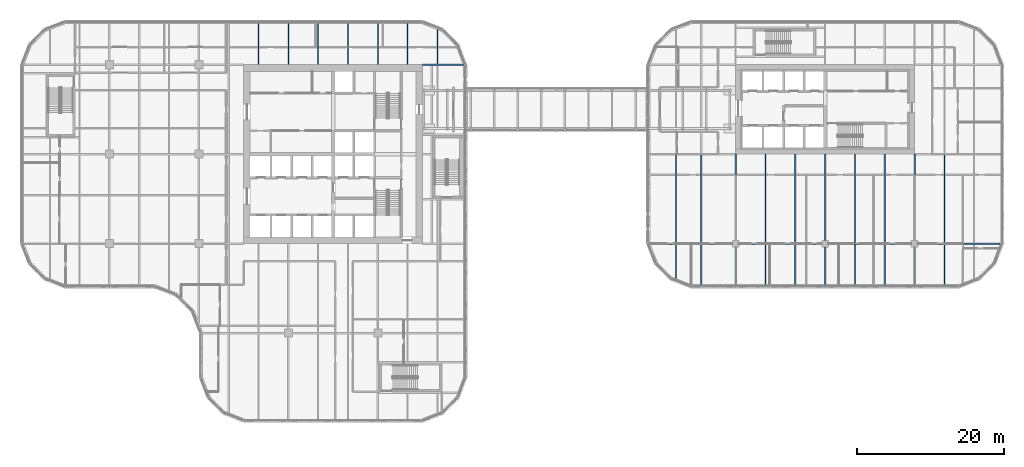
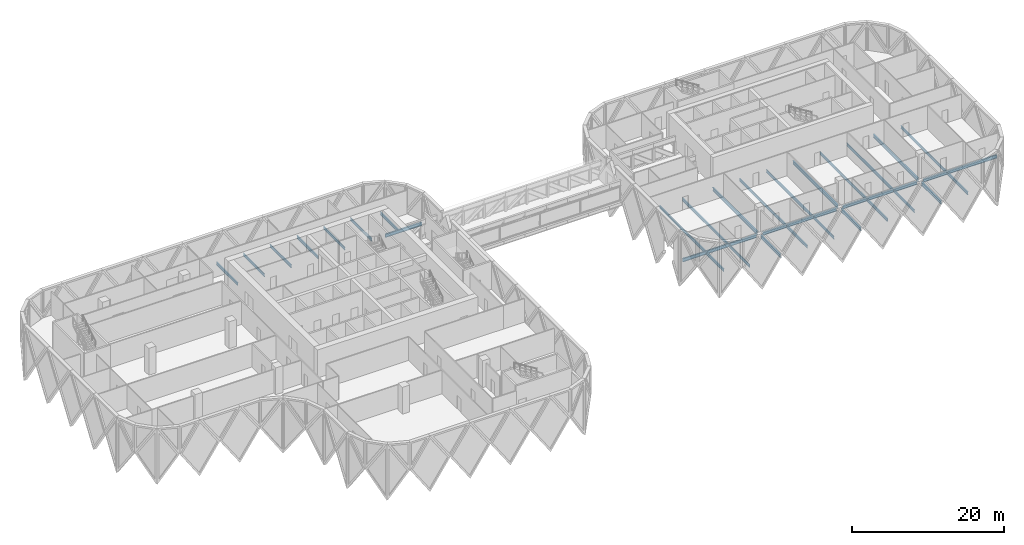
# One storey, part 4 of 30: 32 beams.
"""IFC4 building model written with IfcOpenShell, lengths in metres."""

from ifc_helpers import new_model, si_unit, direction, frame, origin, origin_2d, place, context, subcontext, project, spatial, i_section, extrude, material, material_profile, profile_set, type_object, element, save


model = new_model("IFC4")

# Units and contexts
model_context = context("Model", 3, precision=1e-05, world=origin(), true_north=direction((0.0, 1.0)))
body_context = subcontext(model_context, "Body", "Model", "MODEL_VIEW")
ifc_project = project(units=[si_unit("LENGTHUNIT", "METRE"), si_unit("AREAUNIT", "SQUARE_METRE"), si_unit("VOLUMEUNIT", "CUBIC_METRE"), si_unit("PLANEANGLEUNIT", "RADIAN"), si_unit("MASSUNIT", "GRAM", prefix="KILO")], contexts=[model_context])

# Site, building, storey
site_placement = place(None, origin())
site = spatial("IfcSite", under=ifc_project, at=site_placement, CompositionType="ELEMENT")
building_placement = place(site_placement, origin())
building = spatial("IfcBuilding", under=site, at=building_placement, Name="Tessera Gate Towers", CompositionType="ELEMENT")
storey_placement = place(building_placement, frame((0.0, 0.0, 21.300048828125)))
storey = spatial("IfcBuildingStorey", under=building, at=storey_placement, Name="L04", CompositionType="ELEMENT", Elevation=21.300048828125)

# Beams
ifc_material_1 = material(Name="Steel 350W", Category="steel")
ifc_material_profile_1 = material_profile(ifc_material_1, i_section(OverallWidth=0.208984375, OverallDepth=0.532958984375, WebThickness=0.01025390625, FlangeThickness=0.015625, at=origin_2d()), Name="W530x92")
ifc_profile_set_1 = profile_set([ifc_material_profile_1], Name="Steel 350W")
beam_type_1 = type_object("IfcBeamType", Name="FLOOR GIRDER W530x92", PredefinedType="BEAM", material=ifc_profile_set_1)
beam_1_placement = place(storey_placement, frame((54.90087890625, 48.800048828125, -0.466552734375), z_axis=(1.0, 0.0, 0.0), x_axis=(0.0, 1.0, 0.0)))
element("IfcBeam", 1, at=beam_1_placement, inside=storey, type_object=beam_type_1, Name="T1-GD-L04-805", PredefinedType="BEAM", context=body_context, shape_type="SweptSolid", body=[
    extrude(i_section(OverallWidth=0.208984375, OverallDepth=0.532958984375, WebThickness=0.01025390625, FlangeThickness=0.015625, at=origin_2d()), origin(), (0.0, 0.0, 1.0), 5.564208984375),
])
beam_2_placement = place(storey_placement, frame((85.934814453125, 24.39990234375, -0.466552734375), z_axis=(1.0, 0.0, 0.0), x_axis=(0.0, 1.0, 0.0)))
element("IfcBeam", 2, at=beam_2_placement, inside=storey, type_object=beam_type_1, Name="T2-GD-L04-870", PredefinedType="BEAM", context=body_context, shape_type="SweptSolid", body=[
    extrude(i_section(OverallWidth=0.208984375, OverallDepth=0.532958984375, WebThickness=0.01025390625, FlangeThickness=0.015625, at=origin_2d()), origin(), (0.0, 0.0, 1.0), 11.215087890625),
])
for number, where, z_axis, x_axis, name in (
    (3, (98.050048828125, 24.39990234375, -0.466552734375), (1.0, 0.0, 0.0), (0.0, 1.0, 0.0), "T2-GD-L04-871"),
    (4, (110.25, 24.39990234375, -0.466552734375), (1.0, 0.0, 0.0), (0.0, 1.0, 0.0), "T2-GD-L04-872"),
):
    element("IfcBeam", number, at=place(storey_placement, frame(where, z_axis=z_axis, x_axis=x_axis)), inside=storey, type_object=beam_type_1, Name=name, PredefinedType="BEAM", context=body_context, shape_type="SweptSolid", body=[
        extrude(i_section(OverallWidth=0.208984375, OverallDepth=0.532958984375, WebThickness=0.01025390625, FlangeThickness=0.015625, at=origin_2d()), origin(), (0.0, 0.0, 1.0), 11.300048828125),
    ])
beam_3_placement = place(storey_placement, frame((122.449951171875, 24.39990234375, -0.466552734375), z_axis=(1.0, 0.0, 0.0), x_axis=(0.0, 1.0, 0.0)))
element("IfcBeam", 5, at=beam_3_placement, inside=storey, type_object=beam_type_1, Name="T2-GD-L04-873", PredefinedType="BEAM", context=body_context, shape_type="SweptSolid", body=[
    extrude(i_section(OverallWidth=0.208984375, OverallDepth=0.532958984375, WebThickness=0.01025390625, FlangeThickness=0.015625, at=origin_2d()), origin(), (0.0, 0.0, 1.0), 11.21533203125),
])
beam_4_placement = place(storey_placement, frame((97.60009765625, 18.799072265625, -0.466552734375), z_axis=(0.0, 1.0, 0.0), x_axis=(-1.0, 0.0, 0.0)))
element("IfcBeam", 6, at=beam_4_placement, inside=storey, type_object=beam_type_1, Name="T2-GD-L04-878", PredefinedType="BEAM", context=body_context, shape_type="SweptSolid", body=[
    extrude(i_section(OverallWidth=0.208984375, OverallDepth=0.532958984375, WebThickness=0.01025390625, FlangeThickness=0.015625, at=origin_2d()), origin(), (0.0, 0.0, 1.0), 5.15087890625),
])
beam_5_placement = place(storey_placement, frame((97.60009765625, 24.85009765625, -0.466552734375), z_axis=(0.0, 1.0, 0.0), x_axis=(-1.0, 0.0, 0.0)))
element("IfcBeam", 7, at=beam_5_placement, inside=storey, type_object=beam_type_1, Name="T2-GD-L04-879", PredefinedType="BEAM", context=body_context, shape_type="SweptSolid", body=[
    extrude(i_section(OverallWidth=0.208984375, OverallDepth=0.532958984375, WebThickness=0.01025390625, FlangeThickness=0.015625, at=origin_2d()), origin(), (0.0, 0.0, 1.0), 11.75),
])
beam_6_placement = place(storey_placement, frame((109.800048828125, 18.799072265625, -0.466552734375), z_axis=(0.0, 1.0, 0.0), x_axis=(-1.0, 0.0, 0.0)))
element("IfcBeam", 8, at=beam_6_placement, inside=storey, type_object=beam_type_1, Name="T2-GD-L04-880", PredefinedType="BEAM", context=body_context, shape_type="SweptSolid", body=[
    extrude(i_section(OverallWidth=0.208984375, OverallDepth=0.532958984375, WebThickness=0.01025390625, FlangeThickness=0.015625, at=origin_2d()), origin(), (0.0, 0.0, 1.0), 5.15087890625),
])
beam_7_placement = place(storey_placement, frame((109.800048828125, 24.85009765625, -0.466552734375), z_axis=(0.0, 1.0, 0.0), x_axis=(-1.0, 0.0, 0.0)))
element("IfcBeam", 9, at=beam_7_placement, inside=storey, type_object=beam_type_1, Name="T2-GD-L04-881", PredefinedType="BEAM", context=body_context, shape_type="SweptSolid", body=[
    extrude(i_section(OverallWidth=0.208984375, OverallDepth=0.532958984375, WebThickness=0.01025390625, FlangeThickness=0.015625, at=origin_2d()), origin(), (0.0, 0.0, 1.0), 11.75),
])
beam_8_placement = place(storey_placement, frame((122.0, 18.799072265625, -0.466552734375), z_axis=(0.0, 1.0, 0.0), x_axis=(-1.0, 0.0, 0.0)))
element("IfcBeam", 10, at=beam_8_placement, inside=storey, type_object=beam_type_1, Name="T2-GD-L04-882", PredefinedType="BEAM", context=body_context, shape_type="SweptSolid", body=[
    extrude(i_section(OverallWidth=0.208984375, OverallDepth=0.532958984375, WebThickness=0.01025390625, FlangeThickness=0.015625, at=origin_2d()), origin(), (0.0, 0.0, 1.0), 5.15087890625),
])
beam_9_placement = place(storey_placement, frame((122.0, 24.85009765625, -0.466552734375), z_axis=(0.0, 1.0, 0.0), x_axis=(-1.0, 0.0, 0.0)))
element("IfcBeam", 11, at=beam_9_placement, inside=storey, type_object=beam_type_1, Name="T2-GD-L04-883", PredefinedType="BEAM", context=body_context, shape_type="SweptSolid", body=[
    extrude(i_section(OverallWidth=0.208984375, OverallDepth=0.532958984375, WebThickness=0.01025390625, FlangeThickness=0.015625, at=origin_2d()), origin(), (0.0, 0.0, 1.0), 11.75),
])
ifc_material_2 = material(Name="Steel 350W", Category="steel")
ifc_material_profile_2 = material_profile(ifc_material_2, i_section(OverallWidth=0.153076171875, OverallDepth=0.455078125, WebThickness=0.008056640625, FlangeThickness=0.01318359375, at=origin_2d()), Name="W460x60")
ifc_profile_set_2 = profile_set([ifc_material_profile_2], Name="Steel 350W")
beam_type_2 = type_object("IfcBeamType", Name="FLOOR SECONDARY W460x60", PredefinedType="BEAM", material=ifc_profile_set_2)
for number, where, z_axis, x_axis, name in (
    (12, (32.533203125, 48.800048828125, -0.427490234375), (0.0, 1.0, 0.0), (-1.0, 0.0, 0.0), "T1-BM-L04-850"),
    (13, (36.60009765625, 48.800048828125, -0.427490234375), (0.0, 1.0, 0.0), (-1.0, 0.0, 0.0), "T1-BM-L04-851"),
    (14, (40.666748046875, 48.800048828125, -0.427490234375), (0.0, 1.0, 0.0), (-1.0, 0.0, 0.0), "T1-BM-L04-854"),
    (15, (44.7333984375, 48.800048828125, -0.427490234375), (0.0, 1.0, 0.0), (-1.0, 0.0, 0.0), "T1-BM-L04-857"),
    (16, (48.800048828125, 48.800048828125, -0.427490234375), (0.0, 1.0, 0.0), (-1.0, 0.0, 0.0), "T1-BM-L04-858"),
    (17, (52.86669921875, 48.800048828125, -0.427490234375), (0.0, 1.0, 0.0), (-1.0, 0.0, 0.0), "T1-BM-L04-862"),
):
    element("IfcBeam", number, at=place(storey_placement, frame(where, z_axis=z_axis, x_axis=x_axis)), inside=storey, type_object=beam_type_2, Name=name, PredefinedType="BEAM", context=body_context, shape_type="SweptSolid", body=[
        extrude(i_section(OverallWidth=0.153076171875, OverallDepth=0.455078125, WebThickness=0.008056640625, FlangeThickness=0.01318359375, at=origin_2d()), origin(), (0.0, 0.0, 1.0), 5.599853515625),
    ])
for number, where, z_axis, x_axis, name in (
    (18, (56.933349609375, 48.904541015625, -0.427490234375), (0.0, 1.0, 0.0), (-1.0, 0.0, 0.0), "T1-BM-L04-868"),
    (19, (89.466796875, 19.620361328125, -0.427490234375), (0.0, 1.0, 0.0), (-1.0, 0.0, 0.0), "T2-BM-L04-886"),
):
    element("IfcBeam", number, at=place(storey_placement, frame(where, z_axis=z_axis, x_axis=x_axis)), inside=storey, type_object=beam_type_2, Name=name, PredefinedType="BEAM", context=body_context, shape_type="SweptSolid", body=[
        extrude(i_section(OverallWidth=0.153076171875, OverallDepth=0.455078125, WebThickness=0.008056640625, FlangeThickness=0.01318359375, at=origin_2d()), origin(), (0.0, 0.0, 1.0), 4.675048828125),
    ])
beam_10_placement = place(storey_placement, frame((89.466796875, 24.50439453125, -0.427490234375), z_axis=(0.0, 1.0, 0.0), x_axis=(-1.0, 0.0, 0.0)))
element("IfcBeam", 20, at=beam_10_placement, inside=storey, type_object=beam_type_2, Name="T2-BM-L04-887", PredefinedType="BEAM", context=body_context, shape_type="SweptSolid", body=[
    extrude(i_section(OverallWidth=0.153076171875, OverallDepth=0.455078125, WebThickness=0.008056640625, FlangeThickness=0.01318359375, at=origin_2d()), origin(), (0.0, 0.0, 1.0), 11.9912109375),
])
beam_11_placement = place(storey_placement, frame((92.916748046875, 18.800048828125, -0.427490234375), z_axis=(0.0, 1.0, 0.0), x_axis=(-1.0, 0.0, 0.0)))
element("IfcBeam", 21, at=beam_11_placement, inside=storey, type_object=beam_type_2, Name="T2-BM-L04-891", PredefinedType="BEAM", context=body_context, shape_type="SweptSolid", body=[
    extrude(i_section(OverallWidth=0.153076171875, OverallDepth=0.455078125, WebThickness=0.008056640625, FlangeThickness=0.01318359375, at=origin_2d()), origin(), (0.0, 0.0, 1.0), 5.495361328125),
])
beam_12_placement = place(storey_placement, frame((92.916748046875, 24.50439453125, -0.427490234375), z_axis=(0.0, 1.0, 0.0), x_axis=(-1.0, 0.0, 0.0)))
element("IfcBeam", 22, at=beam_12_placement, inside=storey, type_object=beam_type_2, Name="T2-BM-L04-892", PredefinedType="BEAM", context=body_context, shape_type="SweptSolid", body=[
    extrude(i_section(OverallWidth=0.153076171875, OverallDepth=0.455078125, WebThickness=0.008056640625, FlangeThickness=0.01318359375, at=origin_2d()), origin(), (0.0, 0.0, 1.0), 11.9912109375),
])
beam_13_placement = place(storey_placement, frame((101.666748046875, 18.800048828125, -0.427490234375), z_axis=(0.0, 1.0, 0.0), x_axis=(-1.0, 0.0, 0.0)))
element("IfcBeam", 23, at=beam_13_placement, inside=storey, type_object=beam_type_2, Name="T2-BM-L04-897", PredefinedType="BEAM", context=body_context, shape_type="SweptSolid", body=[
    extrude(i_section(OverallWidth=0.153076171875, OverallDepth=0.455078125, WebThickness=0.008056640625, FlangeThickness=0.01318359375, at=origin_2d()), origin(), (0.0, 0.0, 1.0), 5.495361328125),
])
beam_14_placement = place(storey_placement, frame((101.666748046875, 24.50439453125, -0.427490234375), z_axis=(0.0, 1.0, 0.0), x_axis=(-1.0, 0.0, 0.0)))
element("IfcBeam", 24, at=beam_14_placement, inside=storey, type_object=beam_type_2, Name="T2-BM-L04-898", PredefinedType="BEAM", context=body_context, shape_type="SweptSolid", body=[
    extrude(i_section(OverallWidth=0.153076171875, OverallDepth=0.455078125, WebThickness=0.008056640625, FlangeThickness=0.01318359375, at=origin_2d()), origin(), (0.0, 0.0, 1.0), 12.095703125),
])
beam_15_placement = place(storey_placement, frame((105.7333984375, 18.800048828125, -0.427490234375), z_axis=(0.0, 1.0, 0.0), x_axis=(-1.0, 0.0, 0.0)))
element("IfcBeam", 25, at=beam_15_placement, inside=storey, type_object=beam_type_2, Name="T2-BM-L04-899", PredefinedType="BEAM", context=body_context, shape_type="SweptSolid", body=[
    extrude(i_section(OverallWidth=0.153076171875, OverallDepth=0.455078125, WebThickness=0.008056640625, FlangeThickness=0.01318359375, at=origin_2d()), origin(), (0.0, 0.0, 1.0), 5.495361328125),
])
beam_16_placement = place(storey_placement, frame((105.7333984375, 24.50439453125, -0.427490234375), z_axis=(0.0, 1.0, 0.0), x_axis=(-1.0, 0.0, 0.0)))
element("IfcBeam", 26, at=beam_16_placement, inside=storey, type_object=beam_type_2, Name="T2-BM-L04-900", PredefinedType="BEAM", context=body_context, shape_type="SweptSolid", body=[
    extrude(i_section(OverallWidth=0.153076171875, OverallDepth=0.455078125, WebThickness=0.008056640625, FlangeThickness=0.01318359375, at=origin_2d()), origin(), (0.0, 0.0, 1.0), 12.095703125),
])
beam_17_placement = place(storey_placement, frame((113.86669921875, 18.800048828125, -0.427490234375), z_axis=(0.0, 1.0, 0.0), x_axis=(-1.0, 0.0, 0.0)))
element("IfcBeam", 27, at=beam_17_placement, inside=storey, type_object=beam_type_2, Name="T2-BM-L04-902", PredefinedType="BEAM", context=body_context, shape_type="SweptSolid", body=[
    extrude(i_section(OverallWidth=0.153076171875, OverallDepth=0.455078125, WebThickness=0.008056640625, FlangeThickness=0.01318359375, at=origin_2d()), origin(), (0.0, 0.0, 1.0), 5.495361328125),
])
beam_18_placement = place(storey_placement, frame((113.86669921875, 24.50439453125, -0.427490234375), z_axis=(0.0, 1.0, 0.0), x_axis=(-1.0, 0.0, 0.0)))
element("IfcBeam", 28, at=beam_18_placement, inside=storey, type_object=beam_type_2, Name="T2-BM-L04-903", PredefinedType="BEAM", context=body_context, shape_type="SweptSolid", body=[
    extrude(i_section(OverallWidth=0.153076171875, OverallDepth=0.455078125, WebThickness=0.008056640625, FlangeThickness=0.01318359375, at=origin_2d()), origin(), (0.0, 0.0, 1.0), 12.095703125),
])
beam_19_placement = place(storey_placement, frame((117.933349609375, 18.800048828125, -0.427490234375), z_axis=(0.0, 1.0, 0.0), x_axis=(-1.0, 0.0, 0.0)))
element("IfcBeam", 29, at=beam_19_placement, inside=storey, type_object=beam_type_2, Name="T2-BM-L04-905", PredefinedType="BEAM", context=body_context, shape_type="SweptSolid", body=[
    extrude(i_section(OverallWidth=0.153076171875, OverallDepth=0.455078125, WebThickness=0.008056640625, FlangeThickness=0.01318359375, at=origin_2d()), origin(), (0.0, 0.0, 1.0), 5.495361328125),
])
beam_20_placement = place(storey_placement, frame((117.933349609375, 24.50439453125, -0.427490234375), z_axis=(0.0, 1.0, 0.0), x_axis=(-1.0, 0.0, 0.0)))
element("IfcBeam", 30, at=beam_20_placement, inside=storey, type_object=beam_type_2, Name="T2-BM-L04-906", PredefinedType="BEAM", context=body_context, shape_type="SweptSolid", body=[
    extrude(i_section(OverallWidth=0.153076171875, OverallDepth=0.455078125, WebThickness=0.008056640625, FlangeThickness=0.01318359375, at=origin_2d()), origin(), (0.0, 0.0, 1.0), 12.095703125),
])
beam_21_placement = place(storey_placement, frame((126.066650390625, 18.800048828125, -0.427490234375), z_axis=(0.0, 1.0, 0.0), x_axis=(-1.0, 0.0, 0.0)))
element("IfcBeam", 31, at=beam_21_placement, inside=storey, type_object=beam_type_2, Name="T2-BM-L04-909", PredefinedType="BEAM", context=body_context, shape_type="SweptSolid", body=[
    extrude(i_section(OverallWidth=0.153076171875, OverallDepth=0.455078125, WebThickness=0.008056640625, FlangeThickness=0.01318359375, at=origin_2d()), origin(), (0.0, 0.0, 1.0), 5.495361328125),
])
beam_22_placement = place(storey_placement, frame((126.066650390625, 24.50439453125, -0.427490234375), z_axis=(0.0, 1.0, 0.0), x_axis=(-1.0, 0.0, 0.0)))
element("IfcBeam", 32, at=beam_22_placement, inside=storey, type_object=beam_type_2, Name="T2-BM-L04-910", PredefinedType="BEAM", context=body_context, shape_type="SweptSolid", body=[
    extrude(i_section(OverallWidth=0.153076171875, OverallDepth=0.455078125, WebThickness=0.008056640625, FlangeThickness=0.01318359375, at=origin_2d()), origin(), (0.0, 0.0, 1.0), 11.9912109375),
])

save(model, "model.ifc")
